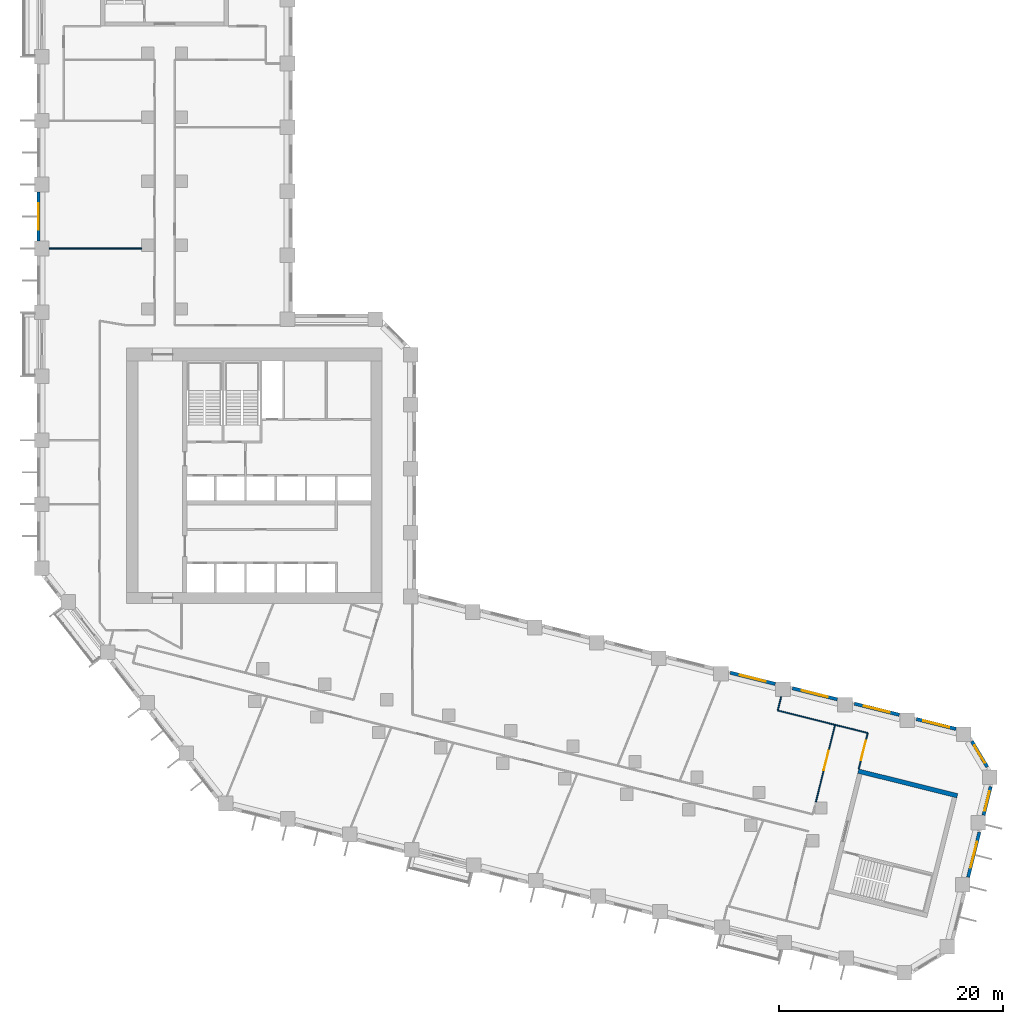
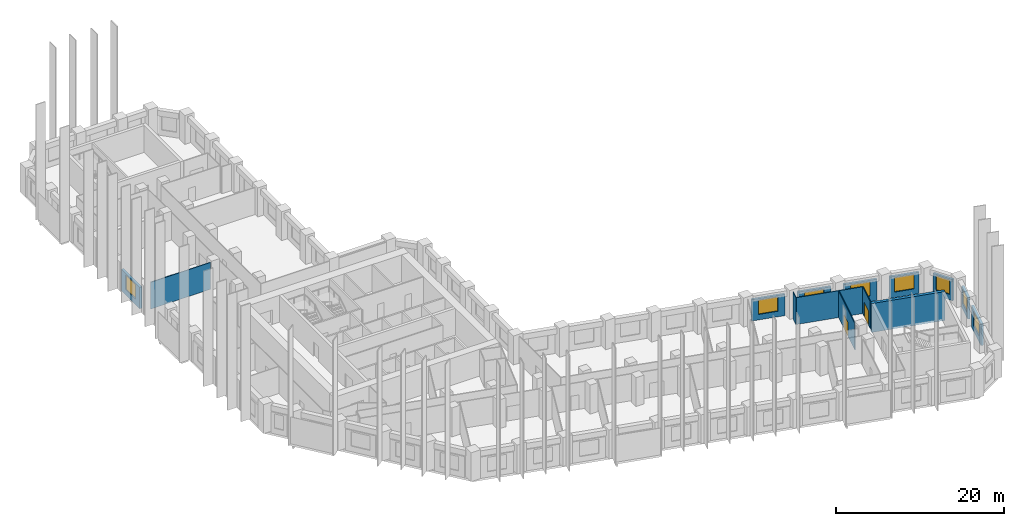
# One storey, part 7 of 10: 15 walls, 8 windows, 2 doors, 10 openings.
"""IFC4 building model written with IfcOpenShell, lengths in metres."""

from ifc_helpers import new_model, si_unit, direction, frame, frame_2d, origin, place, context, subcontext, project, spatial, rectangle, extrude, material, layer, layer_set, type_object, element, fill, save


model = new_model("IFC4")

# Units and contexts
model_context = context("Model", 3, precision=1e-05, world=origin(), true_north=direction((0.0, 1.0)))
body_context = subcontext(model_context, "Body", "Model", "MODEL_VIEW")
ifc_project = project(units=[si_unit("LENGTHUNIT", "METRE"), si_unit("AREAUNIT", "SQUARE_METRE"), si_unit("VOLUMEUNIT", "CUBIC_METRE"), si_unit("PLANEANGLEUNIT", "RADIAN"), si_unit("MASSUNIT", "GRAM", prefix="KILO")], contexts=[model_context])

# Site, building, storey
site_placement = place(None, origin())
site = spatial("IfcSite", under=ifc_project, at=site_placement, CompositionType="ELEMENT")
building_placement = place(site_placement, origin())
building = spatial("IfcBuilding", under=site, at=building_placement, Name="Meshkara Civic Tower", CompositionType="ELEMENT")
storey_placement = place(building_placement, frame((0.0, 0.0, 130.800048828125)))
storey = spatial("IfcBuildingStorey", under=building, at=storey_placement, Name="L29", CompositionType="ELEMENT", Elevation=130.800048828125)

# Wall, opening, door
ifc_material_1 = material(Name="Corridor wall 100")
ifc_layer_1 = layer(ifc_material_1, 0.10009765625)
ifc_layer_set_1 = layer_set([ifc_layer_1], Name="Corridor wall 100")
wall_type_1 = type_object("IfcWallType", Name="Corridor wall 100", PredefinedType="PARTITIONING", material=ifc_layer_set_1)
wall_1_placement = place(storey_placement, frame((71.177001953125, 3.278076171875, 0.0), z_axis=(0.0, 0.0, 1.0), x_axis=(-0.241853852342, -0.970312688831, 0.0)))
wall_1 = element("IfcWall", 1, at=wall_1_placement, inside=storey, type_object=wall_type_1, Name="L29-W028", PredefinedType="PARTITIONING", context=body_context, shape_type="SweptSolid", body=[
    extrude(rectangle(XDim=7.078369140625, YDim=0.10009765625, at=frame_2d((3.5390625, 0.0))), origin(), (0.0, 0.0, 1.0), 3.89990234375),
])
opening_1_placement = place(wall_1_placement, frame((2.3798828125, 0.0, 0.0)))
opening_1 = element("IfcOpeningElement", 2, at=opening_1_placement, cuts=wall_1, Name="Opening L29-D010", PredefinedType="OPENING", context=body_context, shape_type="SweptSolid", body=[
    extrude(rectangle(XDim=1.800048828125, YDim=2.10009765625, at=frame_2d((0.89990234375, 1.050048828125))), frame((0.0, 0.06005859375, 0.0), z_axis=(0.0, -1.0, 0.0), x_axis=(1.0, 0.0, 0.0)), (0.0, 0.0, 1.0), 0.1201171875),
])
ifc_material_2 = material(Name="Door pair 1800 x 2100")
door_type = type_object("IfcDoorType", Name="Door pair 1800 x 2100", OperationType="SINGLE_SWING_LEFT", PredefinedType="DOOR", material=ifc_material_2)
door_1_placement = place(opening_1_placement, origin())
door_1 = element("IfcDoor", 3, at=door_1_placement, inside=storey, type_object=door_type, Name="L29-D010", OperationType="DOUBLE_DOOR_SINGLE_SWING", OverallHeight=2.10009765625, OverallWidth=1.800048828125, PredefinedType="DOOR", context=body_context, shape_type="SweptSolid", body=[
    extrude(rectangle(XDim=1.800048828125, YDim=2.10009765625, at=frame_2d((0.89990234375, 1.050048828125))), frame((0.0, 0.02490234375, 0.0), z_axis=(0.0, -1.0, 0.0), x_axis=(1.0, 0.0, 0.0)), (0.0, 0.0, 1.0), 0.050048828125),
])
fill(opening_1, door_1)

wall_2_placement = place(storey_placement, frame((73.2900390625, -0.64990234375, 0.0), z_axis=(0.0, 0.0, 1.0), x_axis=(0.241786986316, 0.970329352977, 0.0)))
wall_2 = element("IfcWall", 4, at=wall_2_placement, inside=storey, type_object=wall_type_1, Name="L29-W029", PredefinedType="PARTITIONING", context=body_context, shape_type="SweptSolid", body=[
    extrude(rectangle(XDim=3.2998046875, YDim=0.10009765625, at=frame_2d((1.64990234375, 0.0))), origin(), (0.0, 0.0, 1.0), 3.89990234375),
])
opening_2_placement = place(wall_2_placement, frame((0.780029296875, 0.0, 0.0)))
opening_2 = element("IfcOpeningElement", 5, at=opening_2_placement, cuts=wall_2, Name="Opening L29-D011", PredefinedType="OPENING", context=body_context, shape_type="SweptSolid", body=[
    extrude(rectangle(XDim=1.800048828125, YDim=2.10009765625, at=frame_2d((0.89990234375, 1.050048828125))), frame((0.0, 0.06005859375, 0.0), z_axis=(0.0, -1.0, 0.0), x_axis=(1.0, 0.0, 0.0)), (0.0, 0.0, 1.0), 0.1201171875),
])
door_2_placement = place(opening_2_placement, origin())
door_2 = element("IfcDoor", 6, at=door_2_placement, inside=storey, type_object=door_type, Name="L29-D011", OperationType="DOUBLE_DOOR_SINGLE_SWING", OverallHeight=2.10009765625, OverallWidth=1.800048828125, PredefinedType="DOOR", context=body_context, shape_type="SweptSolid", body=[
    extrude(rectangle(XDim=1.800048828125, YDim=2.10009765625, at=frame_2d((0.89990234375, 1.050048828125))), frame((0.0, 0.02490234375, 0.0), z_axis=(0.0, -1.0, 0.0), x_axis=(1.0, 0.0, 0.0)), (0.0, 0.0, 1.0), 0.050048828125),
])
fill(opening_2, door_2)

# Wall
wall_3_placement = place(storey_placement, frame((74.087890625, 2.552001953125, 0.0), z_axis=(0.0, 0.0, 1.0), x_axis=(-0.970271610033, 0.242018600037, 0.0)))
element("IfcWall", 7, at=wall_3_placement, inside=storey, type_object=wall_type_1, Name="L29-W030", PredefinedType="PARTITIONING", context=body_context, shape_type="SweptSolid", body=[
    extrude(rectangle(XDim=3.0, YDim=0.10009765625, at=frame_2d((1.5, 0.0))), origin(), (0.0, 0.0, 1.0), 3.89990234375),
])

# Wall, opening, window
ifc_material_3 = material(Name="Insulated infill panel with bronze anodised aluminium cladding", Category="aluminium")
ifc_layer_2 = layer(ifc_material_3, 0.300048828125)
ifc_layer_set_2 = layer_set([ifc_layer_2], Name="EXTERNAL INFILL WALL 300")
wall_type_2 = type_object("IfcWallType", Name="EXTERNAL INFILL WALL 300", PredefinedType="SOLIDWALL", material=ifc_layer_set_2)
wall_4_placement = place(storey_placement, frame((81.962890625, 2.906982421875, 0.0), z_axis=(0.0, 0.0, 1.0), x_axis=(-0.970248953144, 0.24210941519, 0.0)))
wall_4 = element("IfcWall", 8, at=wall_4_placement, inside=storey, type_object=wall_type_2, Name="External wall", PredefinedType="SOLIDWALL", context=body_context, shape_type="SweptSolid", body=[
    extrude(rectangle(XDim=3.63916015625, YDim=0.300048828125, at=frame_2d((1.819580078125, 0.0))), origin(), (0.0, 0.0, 1.0), 3.099853515625),
])
opening_3_placement = place(wall_4_placement, frame((0.6201171875, 0.0, 0.800048828125)))
opening_3 = element("IfcOpeningElement", 9, at=opening_3_placement, cuts=wall_4, Name="Opening W7", PredefinedType="OPENING", context=body_context, shape_type="SweptSolid", body=[
    extrude(rectangle(XDim=2.39990234375, YDim=2.10009765625, at=frame_2d((1.199951171875, 1.050048828125))), frame((0.0, 0.159912109375, 0.0), z_axis=(0.0, -1.0, 0.0), x_axis=(1.0, 0.0, 0.0)), (0.0, 0.0, 1.0), 0.320068359375),
])
ifc_material_4 = material(Name="Tinted double glazing", Category="glass")
window_type_1 = type_object("IfcWindowType", Name="WINDOW 2400x2100", PartitioningType="DOUBLE_PANEL_VERTICAL", PredefinedType="WINDOW", material=ifc_material_4)
window_1_placement = place(opening_3_placement, origin())
window_1 = element("IfcWindow", 10, at=window_1_placement, inside=storey, type_object=window_type_1, Name="Window", OverallHeight=2.10009765625, OverallWidth=2.39990234375, PartitioningType="DOUBLE_PANEL_VERTICAL", PredefinedType="WINDOW", context=body_context, shape_type="SweptSolid", body=[
    extrude(rectangle(XDim=2.39990234375, YDim=2.10009765625, at=frame_2d((1.199951171875, 1.050048828125))), frame((0.0, 0.030029296875, 0.0), z_axis=(0.0, -1.0, 0.0), x_axis=(1.0, 0.0, 0.0)), (0.0, 0.0, 1.0), 0.06005859375),
])
fill(opening_3, window_1)

wall_5_placement = place(storey_placement, frame((76.903076171875, 4.1689453125, 0.0), z_axis=(0.0, 0.0, 1.0), x_axis=(-0.970267747908, 0.242034083076, 0.0)))
wall_5 = element("IfcWall", 11, at=wall_5_placement, inside=storey, type_object=wall_type_2, Name="External wall", PredefinedType="SOLIDWALL", context=body_context, shape_type="SweptSolid", body=[
    extrude(rectangle(XDim=4.12353515625, YDim=0.300048828125, at=frame_2d((2.061767578125, 0.0))), origin(), (0.0, 0.0, 1.0), 3.099853515625),
])
opening_4_placement = place(wall_5_placement, frame((0.862060546875, 0.0, 0.800048828125)))
opening_4 = element("IfcOpeningElement", 12, at=opening_4_placement, cuts=wall_5, Name="Opening W7", PredefinedType="OPENING", context=body_context, shape_type="SweptSolid", body=[
    extrude(rectangle(XDim=2.39990234375, YDim=2.10009765625, at=frame_2d((1.199951171875, 1.050048828125))), frame((0.0, 0.159912109375, 0.0), z_axis=(0.0, -1.0, 0.0), x_axis=(1.0, 0.0, 0.0)), (0.0, 0.0, 1.0), 0.320068359375),
])
window_2_placement = place(opening_4_placement, origin())
window_2 = element("IfcWindow", 13, at=window_2_placement, inside=storey, type_object=window_type_1, Name="Window", OverallHeight=2.10009765625, OverallWidth=2.39990234375, PartitioningType="DOUBLE_PANEL_VERTICAL", PredefinedType="WINDOW", context=body_context, shape_type="SweptSolid", body=[
    extrude(rectangle(XDim=2.39990234375, YDim=2.10009765625, at=frame_2d((1.199951171875, 1.050048828125))), frame((0.0, 0.030029296875, 0.0), z_axis=(0.0, -1.0, 0.0), x_axis=(1.0, 0.0, 0.0)), (0.0, 0.0, 1.0), 0.06005859375),
])
fill(opening_4, window_2)

wall_6_placement = place(storey_placement, frame((71.373046875, 5.548095703125, 0.0), z_axis=(0.0, 0.0, 1.0), x_axis=(-0.97029551261, 0.241922752565, 0.0)))
wall_6 = element("IfcWall", 14, at=wall_6_placement, inside=storey, type_object=wall_type_2, Name="External wall", PredefinedType="SOLIDWALL", context=body_context, shape_type="SweptSolid", body=[
    extrude(rectangle(XDim=4.12451171875, YDim=0.300048828125, at=frame_2d((2.062255859375, 0.0))), origin(), (0.0, 0.0, 1.0), 3.099853515625),
])
opening_5_placement = place(wall_6_placement, frame((0.862060546875, 0.0, 0.800048828125)))
opening_5 = element("IfcOpeningElement", 15, at=opening_5_placement, cuts=wall_6, Name="Opening W7", PredefinedType="OPENING", context=body_context, shape_type="SweptSolid", body=[
    extrude(rectangle(XDim=2.39990234375, YDim=2.10009765625, at=frame_2d((1.199951171875, 1.050048828125))), frame((0.0, 0.159912109375, 0.0), z_axis=(0.0, -1.0, 0.0), x_axis=(1.0, 0.0, 0.0)), (0.0, 0.0, 1.0), 0.320068359375),
])
window_3_placement = place(opening_5_placement, origin())
window_3 = element("IfcWindow", 16, at=window_3_placement, inside=storey, type_object=window_type_1, Name="Window", OverallHeight=2.10009765625, OverallWidth=2.39990234375, PartitioningType="DOUBLE_PANEL_VERTICAL", PredefinedType="WINDOW", context=body_context, shape_type="SweptSolid", body=[
    extrude(rectangle(XDim=2.39990234375, YDim=2.10009765625, at=frame_2d((1.199951171875, 1.050048828125))), frame((0.0, 0.030029296875, 0.0), z_axis=(0.0, -1.0, 0.0), x_axis=(1.0, 0.0, 0.0)), (0.0, 0.0, 1.0), 0.06005859375),
])
fill(opening_5, window_3)

wall_7_placement = place(storey_placement, frame((65.842041015625, 6.927001953125, 0.0), z_axis=(0.0, 0.0, 1.0), x_axis=(-0.970281616392, 0.241978480223, 0.0)))
wall_7 = element("IfcWall", 17, at=wall_7_placement, inside=storey, type_object=wall_type_2, Name="External wall", PredefinedType="SOLIDWALL", context=body_context, shape_type="SweptSolid", body=[
    extrude(rectangle(XDim=4.12451171875, YDim=0.300048828125, at=frame_2d((2.062255859375, 0.0))), origin(), (0.0, 0.0, 1.0), 3.099853515625),
])
opening_6_placement = place(wall_7_placement, frame((0.862060546875, 0.0, 0.800048828125)))
opening_6 = element("IfcOpeningElement", 18, at=opening_6_placement, cuts=wall_7, Name="Opening W7", PredefinedType="OPENING", context=body_context, shape_type="SweptSolid", body=[
    extrude(rectangle(XDim=2.39990234375, YDim=2.10009765625, at=frame_2d((1.199951171875, 1.050048828125))), frame((0.0, 0.159912109375, 0.0), z_axis=(0.0, -1.0, 0.0), x_axis=(1.0, 0.0, 0.0)), (0.0, 0.0, 1.0), 0.320068359375),
])
window_4_placement = place(opening_6_placement, origin())
window_4 = element("IfcWindow", 19, at=window_4_placement, inside=storey, type_object=window_type_1, Name="Window", OverallHeight=2.10009765625, OverallWidth=2.39990234375, PartitioningType="DOUBLE_PANEL_VERTICAL", PredefinedType="WINDOW", context=body_context, shape_type="SweptSolid", body=[
    extrude(rectangle(XDim=2.39990234375, YDim=2.10009765625, at=frame_2d((1.199951171875, 1.050048828125))), frame((0.0, 0.030029296875, 0.0), z_axis=(0.0, -1.0, 0.0), x_axis=(1.0, 0.0, 0.0)), (0.0, 0.0, 1.0), 0.06005859375),
])
fill(opening_6, window_4)

wall_8_placement = place(storey_placement, frame((0.14990234375, 50.804931640625, 0.0), z_axis=(0.0, 0.0, 1.0), x_axis=(0.0, -1.0, 0.0)))
wall_8 = element("IfcWall", 20, at=wall_8_placement, inside=storey, type_object=wall_type_2, Name="External wall", PredefinedType="SOLIDWALL", context=body_context, shape_type="SweptSolid", body=[
    extrude(rectangle(XDim=4.39990234375, YDim=0.300048828125, at=frame_2d((2.199951171875, 0.0))), origin(), (0.0, 0.0, 1.0), 3.099853515625),
])
opening_7_placement = place(wall_8_placement, frame((1.0, 0.0, 0.800048828125)))
opening_7 = element("IfcOpeningElement", 21, at=opening_7_placement, cuts=wall_8, Name="Opening W7", PredefinedType="OPENING", context=body_context, shape_type="SweptSolid", body=[
    extrude(rectangle(XDim=2.39990234375, YDim=2.10009765625, at=frame_2d((1.199951171875, 1.050048828125))), frame((0.0, 0.159912109375, 0.0), z_axis=(0.0, -1.0, 0.0), x_axis=(1.0, 0.0, 0.0)), (0.0, 0.0, 1.0), 0.320068359375),
])
window_5_placement = place(opening_7_placement, origin())
window_5 = element("IfcWindow", 22, at=window_5_placement, inside=storey, type_object=window_type_1, Name="Window", OverallHeight=2.10009765625, OverallWidth=2.39990234375, PartitioningType="DOUBLE_PANEL_VERTICAL", PredefinedType="WINDOW", context=body_context, shape_type="SweptSolid", body=[
    extrude(rectangle(XDim=2.39990234375, YDim=2.10009765625, at=frame_2d((1.199951171875, 1.050048828125))), frame((0.0, 0.030029296875, 0.0), z_axis=(0.0, -1.0, 0.0), x_axis=(1.0, 0.0, 0.0)), (0.0, 0.0, 1.0), 0.06005859375),
])
fill(opening_7, window_5)

wall_9_placement = place(storey_placement, frame((83.0439453125, -10.301025390625, 0.0), z_axis=(0.0, 0.0, 1.0), x_axis=(0.242034083076, 0.970267747908, 0.0)))
wall_9 = element("IfcWall", 23, at=wall_9_placement, inside=storey, type_object=wall_type_2, Name="External wall", PredefinedType="SOLIDWALL", context=body_context, shape_type="SweptSolid", body=[
    extrude(rectangle(XDim=4.12353515625, YDim=0.300048828125, at=frame_2d((2.061767578125, 0.0))), origin(), (0.0, 0.0, 1.0), 3.099853515625),
])
opening_8_placement = place(wall_9_placement, frame((0.862060546875, 0.0, 0.800048828125)))
opening_8 = element("IfcOpeningElement", 24, at=opening_8_placement, cuts=wall_9, Name="Opening W7", PredefinedType="OPENING", context=body_context, shape_type="SweptSolid", body=[
    extrude(rectangle(XDim=2.39990234375, YDim=2.10009765625, at=frame_2d((1.199951171875, 1.050048828125))), frame((0.0, 0.159912109375, 0.0), z_axis=(0.0, -1.0, 0.0), x_axis=(1.0, 0.0, 0.0)), (0.0, 0.0, 1.0), 0.320068359375),
])
window_6_placement = place(opening_8_placement, origin())
window_6 = element("IfcWindow", 25, at=window_6_placement, inside=storey, type_object=window_type_1, Name="Window", OverallHeight=2.10009765625, OverallWidth=2.39990234375, PartitioningType="DOUBLE_PANEL_VERTICAL", PredefinedType="WINDOW", context=body_context, shape_type="SweptSolid", body=[
    extrude(rectangle(XDim=2.39990234375, YDim=2.10009765625, at=frame_2d((1.199951171875, 1.050048828125))), frame((0.0, 0.030029296875, 0.0), z_axis=(0.0, -1.0, 0.0), x_axis=(1.0, 0.0, 0.0)), (0.0, 0.0, 1.0), 0.06005859375),
])
fill(opening_8, window_6)

wall_10_placement = place(storey_placement, frame((84.423095703125, -4.77099609375, 0.0), z_axis=(0.0, 0.0, 1.0), x_axis=(0.241941668773, 0.970290796056, 0.0)))
wall_10 = element("IfcWall", 26, at=wall_10_placement, inside=storey, type_object=wall_type_2, Name="External wall", PredefinedType="SOLIDWALL", context=body_context, shape_type="SweptSolid", body=[
    extrude(rectangle(XDim=2.611572265625, YDim=0.300048828125, at=frame_2d((1.3056640625, 0.0))), origin(), (0.0, 0.0, 1.0), 3.099853515625),
])
opening_9_placement = place(wall_10_placement, frame((0.406005859375, 0.0, 0.800048828125)))
opening_9 = element("IfcOpeningElement", 27, at=opening_9_placement, cuts=wall_10, Name="Opening W9", PredefinedType="OPENING", context=body_context, shape_type="SweptSolid", body=[
    extrude(rectangle(XDim=1.800048828125, YDim=2.10009765625, at=frame_2d((0.89990234375, 1.050048828125))), frame((0.0, 0.159912109375, 0.0), z_axis=(0.0, -1.0, 0.0), x_axis=(1.0, 0.0, 0.0)), (0.0, 0.0, 1.0), 0.320068359375),
])
ifc_material_5 = material(Name="Tinted double glazing", Category="glass")
window_type_2 = type_object("IfcWindowType", Name="WINDOW 1800x2100", PartitioningType="DOUBLE_PANEL_VERTICAL", PredefinedType="WINDOW", material=ifc_material_5)
window_7_placement = place(opening_9_placement, origin())
window_7 = element("IfcWindow", 28, at=window_7_placement, inside=storey, type_object=window_type_2, Name="Window", OverallHeight=2.10009765625, OverallWidth=1.800048828125, PartitioningType="DOUBLE_PANEL_VERTICAL", PredefinedType="WINDOW", context=body_context, shape_type="SweptSolid", body=[
    extrude(rectangle(XDim=1.800048828125, YDim=2.10009765625, at=frame_2d((0.89990234375, 1.050048828125))), frame((0.0, 0.030029296875, 0.0), z_axis=(0.0, -1.0, 0.0), x_axis=(1.0, 0.0, 0.0)), (0.0, 0.0, 1.0), 0.06005859375),
])
fill(opening_9, window_7)

wall_11_placement = place(storey_placement, frame((84.751953125, -0.48095703125, 0.0), z_axis=(0.0, 0.0, 1.0), x_axis=(-0.515138971391, 0.857106667898, 0.0)))
wall_11 = element("IfcWall", 29, at=wall_11_placement, inside=storey, type_object=wall_type_2, Name="External wall", PredefinedType="SOLIDWALL", context=body_context, shape_type="SweptSolid", body=[
    extrude(rectangle(XDim=2.6787109375, YDim=0.300048828125, at=frame_2d((1.33935546875, 0.0))), origin(), (0.0, 0.0, 1.0), 3.099853515625),
])
opening_10_placement = place(wall_11_placement, frame((0.43896484375, 0.0, 0.800048828125)))
opening_10 = element("IfcOpeningElement", 30, at=opening_10_placement, cuts=wall_11, Name="Opening W9", PredefinedType="OPENING", context=body_context, shape_type="SweptSolid", body=[
    extrude(rectangle(XDim=1.800048828125, YDim=2.10009765625, at=frame_2d((0.89990234375, 1.050048828125))), frame((0.0, 0.159912109375, 0.0), z_axis=(0.0, -1.0, 0.0), x_axis=(1.0, 0.0, 0.0)), (0.0, 0.0, 1.0), 0.320068359375),
])
window_8_placement = place(opening_10_placement, origin())
window_8 = element("IfcWindow", 31, at=window_8_placement, inside=storey, type_object=window_type_2, Name="Window", OverallHeight=2.10009765625, OverallWidth=1.800048828125, PartitioningType="DOUBLE_PANEL_VERTICAL", PredefinedType="WINDOW", context=body_context, shape_type="SweptSolid", body=[
    extrude(rectangle(XDim=1.800048828125, YDim=2.10009765625, at=frame_2d((0.89990234375, 1.050048828125))), frame((0.0, 0.030029296875, 0.0), z_axis=(0.0, -1.0, 0.0), x_axis=(1.0, 0.0, 0.0)), (0.0, 0.0, 1.0), 0.06005859375),
])
fill(opening_10, window_8)

# Walls
ifc_material_6 = material(Name="Concrete C70", Category="concrete")
ifc_layer_3 = layer(ifc_material_6, 0.39990234375)
ifc_layer_set_3 = layer_set([ifc_layer_3], Name="End core ring wall 400 C70")
wall_type_3 = type_object("IfcWallType", Name="End core ring wall 400 C70", PredefinedType="SHEAR", material=ifc_layer_set_3)
wall_12_placement = place(storey_placement, frame((73.240966796875, -0.843994140625, -0.300048828125), z_axis=(0.0, 0.0, 1.0), x_axis=(0.970312696888, -0.241853820019, 0.0)))
element("IfcWall", 32, at=wall_12_placement, inside=storey, type_object=wall_type_3, Name="L29-C032", PredefinedType="SHEAR", context=body_context, shape_type="SweptSolid", body=[
    extrude(rectangle(XDim=9.100341796875, YDim=0.39990234375, at=frame_2d((4.55029296875, 0.0))), origin(), (0.0, 0.0, 1.0), 4.199951171875),
])
ifc_material_7 = material(Name="Partition 100")
ifc_layer_4 = layer(ifc_material_7, 0.10009765625)
ifc_layer_set_4 = layer_set([ifc_layer_4], Name="Partition 100")
wall_type_4 = type_object("IfcWallType", Name="Partition 100", PredefinedType="PARTITIONING", material=ifc_layer_set_4)
wall_13_placement = place(storey_placement, frame((9.35009765625, 45.7548828125, 0.0), z_axis=(0.0, 0.0, 1.0), x_axis=(-1.0, 0.0, 0.0)))
element("IfcWall", 33, at=wall_13_placement, inside=storey, type_object=wall_type_4, Name="L29-W037", PredefinedType="PARTITIONING", context=body_context, shape_type="SweptSolid", body=[
    extrude(rectangle(XDim=8.25, YDim=0.10009765625, at=frame_2d((4.125, 0.0))), origin(), (0.0, 0.0, 1.0), 3.89990234375),
])
wall_14_placement = place(storey_placement, frame((66.06298828125, 4.552978515625, 0.0), z_axis=(0.0, 0.0, 1.0), x_axis=(0.242221476086, 0.970220983345, 0.0)))
element("IfcWall", 34, at=wall_14_placement, inside=storey, type_object=wall_type_4, Name="L29-W054", PredefinedType="PARTITIONING", context=body_context, shape_type="SweptSolid", body=[
    extrude(rectangle(XDim=1.280029296875, YDim=0.10009765625, at=frame_2d((0.64013671875, 0.0))), origin(), (0.0, 0.0, 1.0), 3.89990234375),
])
wall_15_placement = place(storey_placement, frame((71.180908203125, 3.277099609375, 0.0), z_axis=(0.0, 0.0, 1.0), x_axis=(-0.970302928568, 0.24189300695, 0.0)))
element("IfcWall", 35, at=wall_15_placement, inside=storey, type_object=wall_type_4, Name="L29-W055", PredefinedType="PARTITIONING", context=body_context, shape_type="SweptSolid", body=[
    extrude(rectangle(XDim=5.274658203125, YDim=0.10009765625, at=frame_2d((2.63720703125, 0.0))), origin(), (0.0, 0.0, 1.0), 3.89990234375),
])

save(model, "model.ifc")
